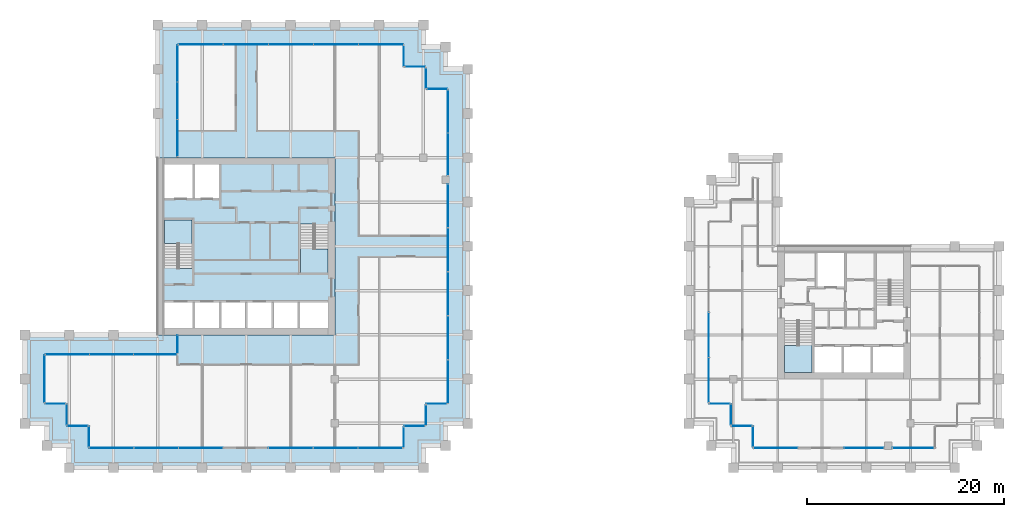
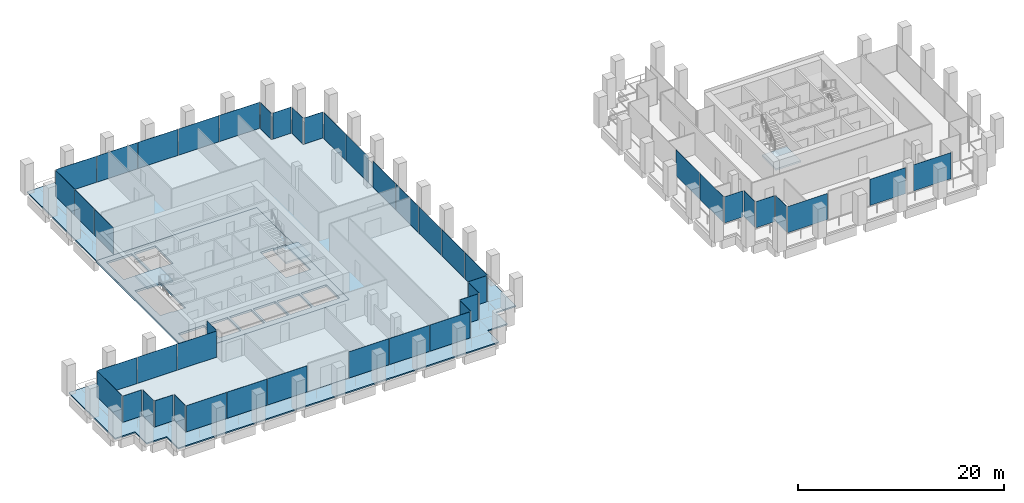
# One storey, part 39 of 45: 47 plates, 6 slabs, 32 elements without a shape of their own.
"""IFC4 building model written with IfcOpenShell, lengths in metres."""

from ifc_helpers import new_model, si_unit, direction, frame, origin, origin_2d, place, context, subcontext, project, spatial, polyline, rectangle, outline, extrude, material, layer, layer_set, type_object, element, aggregate, save


model = new_model("IFC4")

# Units and contexts
model_context = context("Model", 3, precision=1e-05, world=origin(), true_north=direction((0.0, 1.0)))
body_context = subcontext(model_context, "Body", "Model", "MODEL_VIEW")
ifc_project = project(units=[si_unit("LENGTHUNIT", "METRE"), si_unit("AREAUNIT", "SQUARE_METRE"), si_unit("VOLUMEUNIT", "CUBIC_METRE"), si_unit("PLANEANGLEUNIT", "RADIAN"), si_unit("MASSUNIT", "GRAM", prefix="KILO")], contexts=[model_context])

# Site, building, storey
site_placement = place(None, origin())
site = spatial("IfcSite", under=ifc_project, at=site_placement, CompositionType="ELEMENT")
building_placement = place(site_placement, origin())
building = spatial("IfcBuilding", under=site, at=building_placement, Name="Altepetl Exchange Towers", CompositionType="ELEMENT")
storey_placement = place(building_placement, frame((0.0, 0.0, 110.0)))
storey = spatial("IfcBuildingStorey", under=building, at=storey_placement, Name="L27", CompositionType="ELEMENT", Elevation=110.0)

# Slabs
ifc_material_1 = material(Name="Concrete C40/50", Category="concrete")
ifc_layer_1 = layer(ifc_material_1, 0.14990234375)
ifc_layer_set_1 = layer_set([ifc_layer_1], Name="Concrete C40/50")
slab_type_1 = type_object("IfcSlabType", Name="Composite floor slab 150", PredefinedType="FLOOR", material=ifc_layer_set_1)
slab_1_placement = place(storey_placement, frame((0.0, 0.0, -0.14990234375)))
element("IfcSlab", 1, at=slab_1_placement, inside=storey, type_object=slab_type_1, Name="slab:A:L27:strip0", PredefinedType="FLOOR", context=body_context, shape_type="SweptSolid", body=[
    extrude(outline(polyline([(42.5, 70.0), (42.5, 58.5), (58.5, 58.5), (58.5, 40.5), (42.5, 40.5), (42.5, 38.5), (29.0, 38.5), (29.0, 33.5), (31.25, 33.5), (31.25, 31.25), (33.5, 31.25), (33.5, 29.0), (65.5, 29.0), (65.5, 31.25), (67.75, 31.25), (67.75, 33.5), (70.0, 33.5), (70.0, 65.5), (67.75, 65.5), (67.75, 67.75), (65.5, 67.75), (65.5, 70.0), (42.5, 70.0)])), origin(), (0.0, 0.0, 1.0), 0.14990234375),
])
ifc_layer_2 = layer(ifc_material_1, 0.25)
ifc_layer_set_2 = layer_set([ifc_layer_2], Name="Concrete C40/50")
slab_type_2 = type_object("IfcSlabType", Name="Core floor slab 250", PredefinedType="FLOOR", material=ifc_layer_set_2)
slab_2_placement = place(storey_placement, frame((0.0, 0.0, -0.25)))
element("IfcSlab", 2, at=slab_2_placement, inside=storey, type_object=slab_type_2, Name="slab:A:L27:core0", PredefinedType="FLOOR", context=body_context, shape_type="SweptSolid", body=[
    extrude(outline(polyline([(40.5, 40.5), (58.5, 40.5), (58.5, 58.5), (40.5, 58.5), (40.5, 40.5)]), holes=[polyline([(41.199951171875, 43.800048828125), (44.06689453125, 43.800048828125), (44.06689453125, 41.199951171875), (41.199951171875, 41.199951171875), (41.199951171875, 43.800048828125)]), polyline([(44.26708984375, 43.800048828125), (46.73291015625, 43.800048828125), (46.73291015625, 41.199951171875), (44.26708984375, 41.199951171875), (44.26708984375, 43.800048828125)]), polyline([(46.93310546875, 43.800048828125), (49.39990234375, 43.800048828125), (49.39990234375, 41.199951171875), (46.93310546875, 41.199951171875), (46.93310546875, 43.800048828125)]), polyline([(52.06689453125, 43.800048828125), (52.06689453125, 41.199951171875), (49.60009765625, 41.199951171875), (49.60009765625, 43.800048828125), (52.06689453125, 43.800048828125)]), polyline([(54.73291015625, 43.800048828125), (54.73291015625, 41.199951171875), (52.26708984375, 41.199951171875), (52.26708984375, 43.800048828125), (54.73291015625, 43.800048828125)]), polyline([(54.93310546875, 43.800048828125), (57.800048828125, 43.800048828125), (57.800048828125, 41.199951171875), (54.93310546875, 41.199951171875), (54.93310546875, 43.800048828125)]), polyline([(55.0, 51.7490234375), (56.449951171875, 51.7490234375), (56.449951171875, 51.64990234375), (57.800048828125, 51.64990234375), (57.800048828125, 46.800048828125), (55.0, 46.800048828125), (55.0, 51.7490234375)]), polyline([(44.0, 47.2509765625), (42.550048828125, 47.2509765625), (42.550048828125, 47.35009765625), (41.199951171875, 47.35009765625), (41.199951171875, 52.199951171875), (44.0, 52.199951171875), (44.0, 47.2509765625)]), polyline([(44.06689453125, 57.800048828125), (44.06689453125, 54.39990234375), (41.199951171875, 54.39990234375), (41.199951171875, 57.800048828125), (44.06689453125, 57.800048828125)]), polyline([(46.73291015625, 57.800048828125), (46.73291015625, 54.39990234375), (44.26708984375, 54.39990234375), (44.26708984375, 57.800048828125), (46.73291015625, 57.800048828125)])]), origin(), (0.0, 0.0, 1.0), 0.25),
])

# Curtain wall, plate
ifc_material_2 = material(Name="Aluminium 6063-T6 glazing", Category="aluminium")
curtain_wall_type = type_object("IfcCurtainWallType", Name="Loggia glazing system", PredefinedType="NOTDEFINED", material=ifc_material_2)
curtain_wall_1_placement = place(storey_placement, origin())
curtain_wall_1 = element("IfcCurtainWall", 3, at=curtain_wall_1_placement, inside=storey, type_object=curtain_wall_type, Name="CW1 run", PredefinedType="NOTDEFINED")
ifc_material_3 = material(Name="Glass 6-16-6 low emissivity", Category="glass")
ifc_layer_3 = layer(ifc_material_3, 0.028076171875)
ifc_layer_set_3 = layer_set([ifc_layer_3], Name="Glass 6-16-6 low emissivity")
plate_type = type_object("IfcPlateType", Name="Glass panel 28 double glazed", PredefinedType="CURTAIN_PANEL", material=ifc_layer_set_3)
plate_1_placement = place(storey_placement, frame((42.5, 39.53759765625, 0.0), z_axis=(0.0, 0.0, 1.0), x_axis=(0.0, -1.0, 0.0)))
plate_1 = element("IfcPlate", 4, at=plate_1_placement, type_object=plate_type, Name="GP1 panel", PredefinedType="CURTAIN_PANEL", context=body_context, shape_type="SweptSolid", body=[
    extrude(rectangle(XDim=1.804931640625, YDim=0.028076171875, at=origin_2d()), origin(), (0.0, 0.0, 1.0), 3.10009765625),
])
aggregate(curtain_wall_1, [plate_1])

# Curtain wall, plates
curtain_wall_2_placement = place(storey_placement, origin())
curtain_wall_2 = element("IfcCurtainWall", 5, at=curtain_wall_2_placement, inside=storey, type_object=curtain_wall_type, Name="CW1 run", PredefinedType="NOTDEFINED")
plate_2_placement = place(storey_placement, frame((40.24755859375, 38.5, 0.0), z_axis=(0.0, 0.0, 1.0), x_axis=(-1.0, 0.0, 0.0)))
plate_2 = element("IfcPlate", 6, at=plate_2_placement, type_object=plate_type, Name="GP1 panel", PredefinedType="CURTAIN_PANEL", context=body_context, shape_type="SweptSolid", body=[
    extrude(rectangle(XDim=4.385009765625, YDim=0.028076171875, at=origin_2d()), origin(), (0.0, 0.0, 1.0), 3.10009765625),
])
plate_3_placement = place(storey_placement, frame((35.78759765625, 38.5, 0.0), z_axis=(0.0, 0.0, 1.0), x_axis=(-1.0, 0.0, 0.0)))
plate_3 = element("IfcPlate", 7, at=plate_3_placement, type_object=plate_type, Name="GP1 panel", PredefinedType="CURTAIN_PANEL", context=body_context, shape_type="SweptSolid", body=[
    extrude(rectangle(XDim=4.4150390625, YDim=0.028076171875, at=origin_2d()), origin(), (0.0, 0.0, 1.0), 3.10009765625),
])
plate_4_placement = place(storey_placement, frame((31.327392578125, 38.5, 0.0), z_axis=(0.0, 0.0, 1.0), x_axis=(-1.0, 0.0, 0.0)))
plate_4 = element("IfcPlate", 8, at=plate_4_placement, type_object=plate_type, Name="GP1 panel", PredefinedType="CURTAIN_PANEL", context=body_context, shape_type="SweptSolid", body=[
    extrude(rectangle(XDim=4.385009765625, YDim=0.028076171875, at=origin_2d()), origin(), (0.0, 0.0, 1.0), 3.10009765625),
])
aggregate(curtain_wall_2, [plate_2, plate_3, plate_4])

# Curtain wall, plate
curtain_wall_3_placement = place(storey_placement, origin())
curtain_wall_3 = element("IfcCurtainWall", 9, at=curtain_wall_3_placement, inside=storey, type_object=curtain_wall_type, Name="CW1 run", PredefinedType="NOTDEFINED")
plate_5_placement = place(storey_placement, frame((29.0, 36.03759765625, 0.0), z_axis=(0.0, 0.0, 1.0), x_axis=(0.0, -1.0, 0.0)))
plate_5 = element("IfcPlate", 10, at=plate_5_placement, type_object=plate_type, Name="GP1 panel", PredefinedType="CURTAIN_PANEL", context=body_context, shape_type="SweptSolid", body=[
    extrude(rectangle(XDim=4.804931640625, YDim=0.028076171875, at=origin_2d()), origin(), (0.0, 0.0, 1.0), 3.10009765625),
])
aggregate(curtain_wall_3, [plate_5])

curtain_wall_4_placement = place(storey_placement, origin())
curtain_wall_4 = element("IfcCurtainWall", 11, at=curtain_wall_4_placement, inside=storey, type_object=curtain_wall_type, Name="CW1 run", PredefinedType="NOTDEFINED")
plate_6_placement = place(storey_placement, frame((30.08740234375, 33.5, 0.0)))
plate_6 = element("IfcPlate", 12, at=plate_6_placement, type_object=plate_type, Name="GP1 panel", PredefinedType="CURTAIN_PANEL", context=body_context, shape_type="SweptSolid", body=[
    extrude(rectangle(XDim=2.054931640625, YDim=0.028076171875, at=origin_2d()), origin(), (0.0, 0.0, 1.0), 3.10009765625),
])
aggregate(curtain_wall_4, [plate_6])

curtain_wall_5_placement = place(storey_placement, origin())
curtain_wall_5 = element("IfcCurtainWall", 13, at=curtain_wall_5_placement, inside=storey, type_object=curtain_wall_type, Name="CW1 run", PredefinedType="NOTDEFINED")
plate_7_placement = place(storey_placement, frame((31.25, 32.41259765625, 0.0), z_axis=(0.0, 0.0, 1.0), x_axis=(0.0, -1.0, 0.0)))
plate_7 = element("IfcPlate", 14, at=plate_7_placement, type_object=plate_type, Name="GP1 panel", PredefinedType="CURTAIN_PANEL", context=body_context, shape_type="SweptSolid", body=[
    extrude(rectangle(XDim=2.054931640625, YDim=0.028076171875, at=origin_2d()), origin(), (0.0, 0.0, 1.0), 3.10009765625),
])
aggregate(curtain_wall_5, [plate_7])

curtain_wall_6_placement = place(storey_placement, origin())
curtain_wall_6 = element("IfcCurtainWall", 15, at=curtain_wall_6_placement, inside=storey, type_object=curtain_wall_type, Name="CW1 run", PredefinedType="NOTDEFINED")
plate_8_placement = place(storey_placement, frame((32.33740234375, 31.25, 0.0)))
plate_8 = element("IfcPlate", 16, at=plate_8_placement, type_object=plate_type, Name="GP1 panel", PredefinedType="CURTAIN_PANEL", context=body_context, shape_type="SweptSolid", body=[
    extrude(rectangle(XDim=2.054931640625, YDim=0.028076171875, at=origin_2d()), origin(), (0.0, 0.0, 1.0), 3.10009765625),
])
aggregate(curtain_wall_6, [plate_8])

curtain_wall_7_placement = place(storey_placement, origin())
curtain_wall_7 = element("IfcCurtainWall", 17, at=curtain_wall_7_placement, inside=storey, type_object=curtain_wall_type, Name="CW1 run", PredefinedType="NOTDEFINED")
plate_9_placement = place(storey_placement, frame((33.5, 30.16259765625, 0.0), z_axis=(0.0, 0.0, 1.0), x_axis=(0.0, -1.0, 0.0)))
plate_9 = element("IfcPlate", 18, at=plate_9_placement, type_object=plate_type, Name="GP1 panel", PredefinedType="CURTAIN_PANEL", context=body_context, shape_type="SweptSolid", body=[
    extrude(rectangle(XDim=2.054931640625, YDim=0.028076171875, at=origin_2d()), origin(), (0.0, 0.0, 1.0), 3.10009765625),
])
aggregate(curtain_wall_7, [plate_9])

# Curtain wall, plates
curtain_wall_8_placement = place(storey_placement, origin())
curtain_wall_8 = element("IfcCurtainWall", 19, at=curtain_wall_8_placement, inside=storey, type_object=curtain_wall_type, Name="CW1 run", PredefinedType="NOTDEFINED")
plate_10_placement = place(storey_placement, frame((35.79541015625, 29.0, 0.0)))
plate_10 = element("IfcPlate", 20, at=plate_10_placement, type_object=plate_type, Name="GP1 panel", PredefinedType="CURTAIN_PANEL", context=body_context, shape_type="SweptSolid", body=[
    extrude(rectangle(XDim=4.470703125, YDim=0.028076171875, at=origin_2d()), origin(), (0.0, 0.0, 1.0), 3.10009765625),
])
plate_11_placement = place(storey_placement, frame((40.341064453125, 29.0, 0.0)))
plate_11 = element("IfcPlate", 21, at=plate_11_placement, type_object=plate_type, Name="GP1 panel", PredefinedType="CURTAIN_PANEL", context=body_context, shape_type="SweptSolid", body=[
    extrude(rectangle(XDim=4.500732421875, YDim=0.028076171875, at=origin_2d()), origin(), (0.0, 0.0, 1.0), 3.10009765625),
])
plate_12_placement = place(storey_placement, frame((44.88671875, 29.0, 0.0)))
plate_12 = element("IfcPlate", 22, at=plate_12_placement, type_object=plate_type, Name="GP1 panel", PredefinedType="CURTAIN_PANEL", context=body_context, shape_type="SweptSolid", body=[
    extrude(rectangle(XDim=4.470703125, YDim=0.028076171875, at=origin_2d()), origin(), (0.0, 0.0, 1.0), 3.10009765625),
])
aggregate(curtain_wall_8, [plate_10, plate_11, plate_12])

curtain_wall_9_placement = place(storey_placement, origin())
curtain_wall_9 = element("IfcCurtainWall", 23, at=curtain_wall_9_placement, inside=storey, type_object=curtain_wall_type, Name="CW1 run", PredefinedType="NOTDEFINED")
plate_13_placement = place(storey_placement, frame((54.038330078125, 29.0, 0.0)))
plate_13 = element("IfcPlate", 24, at=plate_13_placement, type_object=plate_type, Name="GP1 panel", PredefinedType="CURTAIN_PANEL", context=body_context, shape_type="SweptSolid", body=[
    extrude(rectangle(XDim=4.470703125, YDim=0.028076171875, at=origin_2d()), origin(), (0.0, 0.0, 1.0), 3.10009765625),
])
plate_14_placement = place(storey_placement, frame((58.583984375, 29.0, 0.0)))
plate_14 = element("IfcPlate", 25, at=plate_14_placement, type_object=plate_type, Name="GP1 panel", PredefinedType="CURTAIN_PANEL", context=body_context, shape_type="SweptSolid", body=[
    extrude(rectangle(XDim=4.500732421875, YDim=0.028076171875, at=origin_2d()), origin(), (0.0, 0.0, 1.0), 3.10009765625),
])
plate_15_placement = place(storey_placement, frame((63.129638671875, 29.0, 0.0)))
plate_15 = element("IfcPlate", 26, at=plate_15_placement, type_object=plate_type, Name="GP1 panel", PredefinedType="CURTAIN_PANEL", context=body_context, shape_type="SweptSolid", body=[
    extrude(rectangle(XDim=4.470703125, YDim=0.028076171875, at=origin_2d()), origin(), (0.0, 0.0, 1.0), 3.10009765625),
])
aggregate(curtain_wall_9, [plate_13, plate_14, plate_15])

# Curtain wall, plate
curtain_wall_10_placement = place(storey_placement, origin())
curtain_wall_10 = element("IfcCurtainWall", 27, at=curtain_wall_10_placement, inside=storey, type_object=curtain_wall_type, Name="CW1 run", PredefinedType="NOTDEFINED")
plate_16_placement = place(storey_placement, frame((65.5, 30.08740234375, 0.0), z_axis=(0.0, 0.0, 1.0), x_axis=(0.0, 1.0, 0.0)))
plate_16 = element("IfcPlate", 28, at=plate_16_placement, type_object=plate_type, Name="GP1 panel", PredefinedType="CURTAIN_PANEL", context=body_context, shape_type="SweptSolid", body=[
    extrude(rectangle(XDim=2.054931640625, YDim=0.028076171875, at=origin_2d()), origin(), (0.0, 0.0, 1.0), 3.10009765625),
])
aggregate(curtain_wall_10, [plate_16])

curtain_wall_11_placement = place(storey_placement, origin())
curtain_wall_11 = element("IfcCurtainWall", 29, at=curtain_wall_11_placement, inside=storey, type_object=curtain_wall_type, Name="CW1 run", PredefinedType="NOTDEFINED")
plate_17_placement = place(storey_placement, frame((66.58740234375, 31.25, 0.0)))
plate_17 = element("IfcPlate", 30, at=plate_17_placement, type_object=plate_type, Name="GP1 panel", PredefinedType="CURTAIN_PANEL", context=body_context, shape_type="SweptSolid", body=[
    extrude(rectangle(XDim=2.054931640625, YDim=0.028076171875, at=origin_2d()), origin(), (0.0, 0.0, 1.0), 3.10009765625),
])
aggregate(curtain_wall_11, [plate_17])

curtain_wall_12_placement = place(storey_placement, origin())
curtain_wall_12 = element("IfcCurtainWall", 31, at=curtain_wall_12_placement, inside=storey, type_object=curtain_wall_type, Name="CW1 run", PredefinedType="NOTDEFINED")
plate_18_placement = place(storey_placement, frame((67.75, 32.33740234375, 0.0), z_axis=(0.0, 0.0, 1.0), x_axis=(0.0, 1.0, 0.0)))
plate_18 = element("IfcPlate", 32, at=plate_18_placement, type_object=plate_type, Name="GP1 panel", PredefinedType="CURTAIN_PANEL", context=body_context, shape_type="SweptSolid", body=[
    extrude(rectangle(XDim=2.054931640625, YDim=0.028076171875, at=origin_2d()), origin(), (0.0, 0.0, 1.0), 3.10009765625),
])
aggregate(curtain_wall_12, [plate_18])

curtain_wall_13_placement = place(storey_placement, origin())
curtain_wall_13 = element("IfcCurtainWall", 33, at=curtain_wall_13_placement, inside=storey, type_object=curtain_wall_type, Name="CW1 run", PredefinedType="NOTDEFINED")
plate_19_placement = place(storey_placement, frame((68.83740234375, 33.5, 0.0)))
plate_19 = element("IfcPlate", 34, at=plate_19_placement, type_object=plate_type, Name="GP1 panel", PredefinedType="CURTAIN_PANEL", context=body_context, shape_type="SweptSolid", body=[
    extrude(rectangle(XDim=2.054931640625, YDim=0.028076171875, at=origin_2d()), origin(), (0.0, 0.0, 1.0), 3.10009765625),
])
aggregate(curtain_wall_13, [plate_19])

# Curtain wall, plates
curtain_wall_14_placement = place(storey_placement, origin())
curtain_wall_14 = element("IfcCurtainWall", 35, at=curtain_wall_14_placement, inside=storey, type_object=curtain_wall_type, Name="CW1 run", PredefinedType="NOTDEFINED")
plate_20_placement = place(storey_placement, frame((70.0, 35.75048828125, 0.0), z_axis=(0.0, 0.0, 1.0), x_axis=(0.0, 1.0, 0.0)))
plate_20 = element("IfcPlate", 36, at=plate_20_placement, type_object=plate_type, Name="GP1 panel", PredefinedType="CURTAIN_PANEL", context=body_context, shape_type="SweptSolid", body=[
    extrude(rectangle(XDim=4.381103515625, YDim=0.028076171875, at=origin_2d()), origin(), (0.0, 0.0, 1.0), 3.10009765625),
])
plate_21_placement = place(storey_placement, frame((70.0, 40.20654296875, 0.0), z_axis=(0.0, 0.0, 1.0), x_axis=(0.0, 1.0, 0.0)))
plate_21 = element("IfcPlate", 37, at=plate_21_placement, type_object=plate_type, Name="GP1 panel", PredefinedType="CURTAIN_PANEL", context=body_context, shape_type="SweptSolid", body=[
    extrude(rectangle(XDim=4.410888671875, YDim=0.028076171875, at=origin_2d()), origin(), (0.0, 0.0, 1.0), 3.10009765625),
])
plate_22_placement = place(storey_placement, frame((70.0, 44.677490234375, 0.0), z_axis=(0.0, 0.0, 1.0), x_axis=(0.0, 1.0, 0.0)))
plate_22 = element("IfcPlate", 38, at=plate_22_placement, type_object=plate_type, Name="GP1 panel", PredefinedType="CURTAIN_PANEL", context=body_context, shape_type="SweptSolid", body=[
    extrude(rectangle(XDim=4.410888671875, YDim=0.028076171875, at=origin_2d()), origin(), (0.0, 0.0, 1.0), 3.10009765625),
])
plate_23_placement = place(storey_placement, frame((70.0, 49.1484375, 0.0), z_axis=(0.0, 0.0, 1.0), x_axis=(0.0, 1.0, 0.0)))
plate_23 = element("IfcPlate", 39, at=plate_23_placement, type_object=plate_type, Name="GP1 panel", PredefinedType="CURTAIN_PANEL", context=body_context, shape_type="SweptSolid", body=[
    extrude(rectangle(XDim=4.410888671875, YDim=0.028076171875, at=origin_2d()), origin(), (0.0, 0.0, 1.0), 3.10009765625),
])
plate_24_placement = place(storey_placement, frame((70.0, 53.6044921875, 0.0), z_axis=(0.0, 0.0, 1.0), x_axis=(0.0, 1.0, 0.0)))
plate_24 = element("IfcPlate", 40, at=plate_24_placement, type_object=plate_type, Name="GP1 panel", PredefinedType="CURTAIN_PANEL", context=body_context, shape_type="SweptSolid", body=[
    extrude(rectangle(XDim=4.381103515625, YDim=0.028076171875, at=origin_2d()), origin(), (0.0, 0.0, 1.0), 3.10009765625),
])
aggregate(curtain_wall_14, [plate_20, plate_21, plate_22, plate_23, plate_24])

curtain_wall_15_placement = place(storey_placement, origin())
curtain_wall_15 = element("IfcCurtainWall", 41, at=curtain_wall_15_placement, inside=storey, type_object=curtain_wall_type, Name="CW1 run", PredefinedType="NOTDEFINED")
plate_25_placement = place(storey_placement, frame((70.0, 58.85498046875, 0.0), z_axis=(0.0, 0.0, 1.0), x_axis=(0.0, 1.0, 0.0)))
plate_25 = element("IfcPlate", 42, at=plate_25_placement, type_object=plate_type, Name="GP1 panel", PredefinedType="CURTAIN_PANEL", context=body_context, shape_type="SweptSolid", body=[
    extrude(rectangle(XDim=4.300048828125, YDim=0.028076171875, at=origin_2d()), origin(), (0.0, 0.0, 1.0), 3.10009765625),
])
plate_26_placement = place(storey_placement, frame((70.0, 63.215087890625, 0.0), z_axis=(0.0, 0.0, 1.0), x_axis=(0.0, 1.0, 0.0)))
plate_26 = element("IfcPlate", 43, at=plate_26_placement, type_object=plate_type, Name="GP1 panel", PredefinedType="CURTAIN_PANEL", context=body_context, shape_type="SweptSolid", body=[
    extrude(rectangle(XDim=4.300048828125, YDim=0.028076171875, at=origin_2d()), origin(), (0.0, 0.0, 1.0), 3.10009765625),
])
aggregate(curtain_wall_15, [plate_25, plate_26])

# Curtain wall, plate
curtain_wall_16_placement = place(storey_placement, origin())
curtain_wall_16 = element("IfcCurtainWall", 44, at=curtain_wall_16_placement, inside=storey, type_object=curtain_wall_type, Name="CW1 run", PredefinedType="NOTDEFINED")
plate_27_placement = place(storey_placement, frame((68.91259765625, 65.5, 0.0), z_axis=(0.0, 0.0, 1.0), x_axis=(-1.0, 0.0, 0.0)))
plate_27 = element("IfcPlate", 45, at=plate_27_placement, type_object=plate_type, Name="GP1 panel", PredefinedType="CURTAIN_PANEL", context=body_context, shape_type="SweptSolid", body=[
    extrude(rectangle(XDim=2.054931640625, YDim=0.028076171875, at=origin_2d()), origin(), (0.0, 0.0, 1.0), 3.10009765625),
])
aggregate(curtain_wall_16, [plate_27])

curtain_wall_17_placement = place(storey_placement, origin())
curtain_wall_17 = element("IfcCurtainWall", 46, at=curtain_wall_17_placement, inside=storey, type_object=curtain_wall_type, Name="CW1 run", PredefinedType="NOTDEFINED")
plate_28_placement = place(storey_placement, frame((67.75, 66.58740234375, 0.0), z_axis=(0.0, 0.0, 1.0), x_axis=(0.0, 1.0, 0.0)))
plate_28 = element("IfcPlate", 47, at=plate_28_placement, type_object=plate_type, Name="GP1 panel", PredefinedType="CURTAIN_PANEL", context=body_context, shape_type="SweptSolid", body=[
    extrude(rectangle(XDim=2.054931640625, YDim=0.028076171875, at=origin_2d()), origin(), (0.0, 0.0, 1.0), 3.10009765625),
])
aggregate(curtain_wall_17, [plate_28])

curtain_wall_18_placement = place(storey_placement, origin())
curtain_wall_18 = element("IfcCurtainWall", 48, at=curtain_wall_18_placement, inside=storey, type_object=curtain_wall_type, Name="CW1 run", PredefinedType="NOTDEFINED")
plate_29_placement = place(storey_placement, frame((66.66259765625, 67.75, 0.0), z_axis=(0.0, 0.0, 1.0), x_axis=(-1.0, 0.0, 0.0)))
plate_29 = element("IfcPlate", 49, at=plate_29_placement, type_object=plate_type, Name="GP1 panel", PredefinedType="CURTAIN_PANEL", context=body_context, shape_type="SweptSolid", body=[
    extrude(rectangle(XDim=2.054931640625, YDim=0.028076171875, at=origin_2d()), origin(), (0.0, 0.0, 1.0), 3.10009765625),
])
aggregate(curtain_wall_18, [plate_29])

curtain_wall_19_placement = place(storey_placement, origin())
curtain_wall_19 = element("IfcCurtainWall", 50, at=curtain_wall_19_placement, inside=storey, type_object=curtain_wall_type, Name="CW1 run", PredefinedType="NOTDEFINED")
plate_30_placement = place(storey_placement, frame((65.5, 68.83740234375, 0.0), z_axis=(0.0, 0.0, 1.0), x_axis=(0.0, 1.0, 0.0)))
plate_30 = element("IfcPlate", 51, at=plate_30_placement, type_object=plate_type, Name="GP1 panel", PredefinedType="CURTAIN_PANEL", context=body_context, shape_type="SweptSolid", body=[
    extrude(rectangle(XDim=2.054931640625, YDim=0.028076171875, at=origin_2d()), origin(), (0.0, 0.0, 1.0), 3.10009765625),
])
aggregate(curtain_wall_19, [plate_30])

# Curtain wall, plates
curtain_wall_20_placement = place(storey_placement, origin())
curtain_wall_20 = element("IfcCurtainWall", 52, at=curtain_wall_20_placement, inside=storey, type_object=curtain_wall_type, Name="CW1 run", PredefinedType="NOTDEFINED")
plate_31_placement = place(storey_placement, frame((63.1923828125, 70.0, 0.0), z_axis=(0.0, 0.0, 1.0), x_axis=(-1.0, 0.0, 0.0)))
plate_31 = element("IfcPlate", 53, at=plate_31_placement, type_object=plate_type, Name="GP1 panel", PredefinedType="CURTAIN_PANEL", context=body_context, shape_type="SweptSolid", body=[
    extrude(rectangle(XDim=4.4951171875, YDim=0.028076171875, at=origin_2d()), origin(), (0.0, 0.0, 1.0), 3.10009765625),
])
plate_32_placement = place(storey_placement, frame((58.62255859375, 70.0, 0.0), z_axis=(0.0, 0.0, 1.0), x_axis=(-1.0, 0.0, 0.0)))
plate_32 = element("IfcPlate", 54, at=plate_32_placement, type_object=plate_type, Name="GP1 panel", PredefinedType="CURTAIN_PANEL", context=body_context, shape_type="SweptSolid", body=[
    extrude(rectangle(XDim=4.52490234375, YDim=0.028076171875, at=origin_2d()), origin(), (0.0, 0.0, 1.0), 3.10009765625),
])
plate_33_placement = place(storey_placement, frame((54.03759765625, 70.0, 0.0), z_axis=(0.0, 0.0, 1.0), x_axis=(-1.0, 0.0, 0.0)))
plate_33 = element("IfcPlate", 55, at=plate_33_placement, type_object=plate_type, Name="GP1 panel", PredefinedType="CURTAIN_PANEL", context=body_context, shape_type="SweptSolid", body=[
    extrude(rectangle(XDim=4.52490234375, YDim=0.028076171875, at=origin_2d()), origin(), (0.0, 0.0, 1.0), 3.10009765625),
])
plate_34_placement = place(storey_placement, frame((49.452392578125, 70.0, 0.0), z_axis=(0.0, 0.0, 1.0), x_axis=(-1.0, 0.0, 0.0)))
plate_34 = element("IfcPlate", 56, at=plate_34_placement, type_object=plate_type, Name="GP1 panel", PredefinedType="CURTAIN_PANEL", context=body_context, shape_type="SweptSolid", body=[
    extrude(rectangle(XDim=4.52490234375, YDim=0.028076171875, at=origin_2d()), origin(), (0.0, 0.0, 1.0), 3.10009765625),
])
plate_35_placement = place(storey_placement, frame((44.882568359375, 70.0, 0.0), z_axis=(0.0, 0.0, 1.0), x_axis=(-1.0, 0.0, 0.0)))
plate_35 = element("IfcPlate", 57, at=plate_35_placement, type_object=plate_type, Name="GP1 panel", PredefinedType="CURTAIN_PANEL", context=body_context, shape_type="SweptSolid", body=[
    extrude(rectangle(XDim=4.4951171875, YDim=0.028076171875, at=origin_2d()), origin(), (0.0, 0.0, 1.0), 3.10009765625),
])
aggregate(curtain_wall_20, [plate_31, plate_32, plate_33, plate_34, plate_35])

curtain_wall_21_placement = place(storey_placement, origin())
curtain_wall_21 = element("IfcCurtainWall", 58, at=curtain_wall_21_placement, inside=storey, type_object=curtain_wall_type, Name="CW1 run", PredefinedType="NOTDEFINED")
plate_36_placement = place(storey_placement, frame((42.5, 68.080810546875, 0.0), z_axis=(0.0, 0.0, 1.0), x_axis=(0.0, -1.0, 0.0)))
plate_36 = element("IfcPlate", 59, at=plate_36_placement, type_object=plate_type, Name="GP1 panel", PredefinedType="CURTAIN_PANEL", context=body_context, shape_type="SweptSolid", body=[
    extrude(rectangle(XDim=3.71826171875, YDim=0.028076171875, at=origin_2d()), origin(), (0.0, 0.0, 1.0), 3.10009765625),
])
plate_37_placement = place(storey_placement, frame((42.5, 64.28759765625, 0.0), z_axis=(0.0, 0.0, 1.0), x_axis=(0.0, -1.0, 0.0)))
plate_37 = element("IfcPlate", 60, at=plate_37_placement, type_object=plate_type, Name="GP1 panel", PredefinedType="CURTAIN_PANEL", context=body_context, shape_type="SweptSolid", body=[
    extrude(rectangle(XDim=3.748291015625, YDim=0.028076171875, at=origin_2d()), origin(), (0.0, 0.0, 1.0), 3.10009765625),
])
plate_38_placement = place(storey_placement, frame((42.5, 60.494140625, 0.0), z_axis=(0.0, 0.0, 1.0), x_axis=(0.0, -1.0, 0.0)))
plate_38 = element("IfcPlate", 61, at=plate_38_placement, type_object=plate_type, Name="GP1 panel", PredefinedType="CURTAIN_PANEL", context=body_context, shape_type="SweptSolid", body=[
    extrude(rectangle(XDim=3.71826171875, YDim=0.028076171875, at=origin_2d()), origin(), (0.0, 0.0, 1.0), 3.10009765625),
])
aggregate(curtain_wall_21, [plate_36, plate_37, plate_38])

curtain_wall_22_placement = place(storey_placement, origin())
curtain_wall_22 = element("IfcCurtainWall", 62, at=curtain_wall_22_placement, inside=storey, type_object=curtain_wall_type, Name="CW1 run", PredefinedType="NOTDEFINED")
plate_39_placement = place(storey_placement, frame((96.5, 40.484375, 0.0), z_axis=(0.0, 0.0, 1.0), x_axis=(0.0, -1.0, 0.0)))
plate_39 = element("IfcPlate", 63, at=plate_39_placement, type_object=plate_type, Name="GP1 panel", PredefinedType="CURTAIN_PANEL", context=body_context, shape_type="SweptSolid", body=[
    extrude(rectangle(XDim=4.546142578125, YDim=0.028076171875, at=origin_2d()), origin(), (0.0, 0.0, 1.0), 3.10009765625),
])
plate_40_placement = place(storey_placement, frame((96.5, 35.89306640625, 0.0), z_axis=(0.0, 0.0, 1.0), x_axis=(0.0, -1.0, 0.0)))
plate_40 = element("IfcPlate", 64, at=plate_40_placement, type_object=plate_type, Name="GP1 panel", PredefinedType="CURTAIN_PANEL", context=body_context, shape_type="SweptSolid", body=[
    extrude(rectangle(XDim=4.516357421875, YDim=0.028076171875, at=origin_2d()), origin(), (0.0, 0.0, 1.0), 3.10009765625),
])
aggregate(curtain_wall_22, [plate_39, plate_40])

# Curtain wall, plate
curtain_wall_23_placement = place(storey_placement, origin())
curtain_wall_23 = element("IfcCurtainWall", 65, at=curtain_wall_23_placement, inside=storey, type_object=curtain_wall_type, Name="CW1 run", PredefinedType="NOTDEFINED")
plate_41_placement = place(storey_placement, frame((97.58740234375, 33.5, 0.0)))
plate_41 = element("IfcPlate", 66, at=plate_41_placement, type_object=plate_type, Name="GP1 panel", PredefinedType="CURTAIN_PANEL", context=body_context, shape_type="SweptSolid", body=[
    extrude(rectangle(XDim=2.054931640625, YDim=0.028076171875, at=origin_2d()), origin(), (0.0, 0.0, 1.0), 3.10009765625),
])
aggregate(curtain_wall_23, [plate_41])

curtain_wall_24_placement = place(storey_placement, origin())
curtain_wall_24 = element("IfcCurtainWall", 67, at=curtain_wall_24_placement, inside=storey, type_object=curtain_wall_type, Name="CW1 run", PredefinedType="NOTDEFINED")
plate_42_placement = place(storey_placement, frame((98.75, 32.41259765625, 0.0), z_axis=(0.0, 0.0, 1.0), x_axis=(0.0, -1.0, 0.0)))
plate_42 = element("IfcPlate", 68, at=plate_42_placement, type_object=plate_type, Name="GP1 panel", PredefinedType="CURTAIN_PANEL", context=body_context, shape_type="SweptSolid", body=[
    extrude(rectangle(XDim=2.054931640625, YDim=0.028076171875, at=origin_2d()), origin(), (0.0, 0.0, 1.0), 3.10009765625),
])
aggregate(curtain_wall_24, [plate_42])

curtain_wall_25_placement = place(storey_placement, origin())
curtain_wall_25 = element("IfcCurtainWall", 69, at=curtain_wall_25_placement, inside=storey, type_object=curtain_wall_type, Name="CW1 run", PredefinedType="NOTDEFINED")
plate_43_placement = place(storey_placement, frame((99.83740234375, 31.25, 0.0)))
plate_43 = element("IfcPlate", 70, at=plate_43_placement, type_object=plate_type, Name="GP1 panel", PredefinedType="CURTAIN_PANEL", context=body_context, shape_type="SweptSolid", body=[
    extrude(rectangle(XDim=2.054931640625, YDim=0.028076171875, at=origin_2d()), origin(), (0.0, 0.0, 1.0), 3.10009765625),
])
aggregate(curtain_wall_25, [plate_43])

curtain_wall_26_placement = place(storey_placement, origin())
curtain_wall_26 = element("IfcCurtainWall", 71, at=curtain_wall_26_placement, inside=storey, type_object=curtain_wall_type, Name="CW1 run", PredefinedType="NOTDEFINED")
plate_44_placement = place(storey_placement, frame((101.0, 30.16259765625, 0.0), z_axis=(0.0, 0.0, 1.0), x_axis=(0.0, -1.0, 0.0)))
plate_44 = element("IfcPlate", 72, at=plate_44_placement, type_object=plate_type, Name="GP1 panel", PredefinedType="CURTAIN_PANEL", context=body_context, shape_type="SweptSolid", body=[
    extrude(rectangle(XDim=2.054931640625, YDim=0.028076171875, at=origin_2d()), origin(), (0.0, 0.0, 1.0), 3.10009765625),
])
aggregate(curtain_wall_26, [plate_44])

curtain_wall_27_placement = place(storey_placement, origin())
curtain_wall_27 = element("IfcCurtainWall", 73, at=curtain_wall_27_placement, inside=storey, type_object=curtain_wall_type, Name="CW1 run", PredefinedType="NOTDEFINED")
plate_45_placement = place(storey_placement, frame((103.30322265625, 29.0, 0.0)))
plate_45 = element("IfcPlate", 74, at=plate_45_placement, type_object=plate_type, Name="GP1 panel", PredefinedType="CURTAIN_PANEL", context=body_context, shape_type="SweptSolid", body=[
    extrude(rectangle(XDim=4.486328125, YDim=0.028076171875, at=origin_2d()), origin(), (0.0, 0.0, 1.0), 3.10009765625),
])
aggregate(curtain_wall_27, [plate_45])

curtain_wall_28_placement = place(storey_placement, origin())
curtain_wall_28 = element("IfcCurtainWall", 75, at=curtain_wall_28_placement, inside=storey, type_object=curtain_wall_type, Name="CW1 run", PredefinedType="NOTDEFINED")
plate_46_placement = place(storey_placement, frame((112.28369140625, 29.0, 0.0)))
plate_46 = element("IfcPlate", 76, at=plate_46_placement, type_object=plate_type, Name="GP1 panel", PredefinedType="CURTAIN_PANEL", context=body_context, shape_type="SweptSolid", body=[
    extrude(rectangle(XDim=4.0224609375, YDim=0.028076171875, at=origin_2d()), origin(), (0.0, 0.0, 1.0), 3.10009765625),
])
aggregate(curtain_wall_28, [plate_46])

curtain_wall_29_placement = place(storey_placement, origin())
curtain_wall_29 = element("IfcCurtainWall", 77, at=curtain_wall_29_placement, inside=storey, type_object=curtain_wall_type, Name="CW1 run", PredefinedType="NOTDEFINED")
plate_47_placement = place(storey_placement, frame((117.284912109375, 29.0, 0.0)))
plate_47 = element("IfcPlate", 78, at=plate_47_placement, type_object=plate_type, Name="GP1 panel", PredefinedType="CURTAIN_PANEL", context=body_context, shape_type="SweptSolid", body=[
    extrude(rectangle(XDim=4.159912109375, YDim=0.028076171875, at=origin_2d()), origin(), (0.0, 0.0, 1.0), 3.10009765625),
])
aggregate(curtain_wall_29, [plate_47])

# Slab
ifc_layer_4 = layer(ifc_material_1, 0.14990234375)
ifc_layer_set_4 = layer_set([ifc_layer_4], Name="Concrete C40/50")
slab_type_3 = type_object("IfcSlabType", Name="Loggia slab 150", PredefinedType="FLOOR", material=ifc_layer_set_4)
slab_3_placement = place(storey_placement, frame((0.0, 0.0, -0.14990234375)))
element("IfcSlab", 79, at=slab_3_placement, inside=storey, type_object=slab_type_3, Name="slab:A:L27:loggia0", PredefinedType="FLOOR", context=body_context, shape_type="SweptSolid", body=[
    extrude(outline(polyline([(40.5, 72.0), (40.5, 58.5), (42.5, 58.5), (42.5, 70.0), (65.5, 70.0), (65.5, 67.75), (67.75, 67.75), (67.75, 65.5), (70.0, 65.5), (70.0, 33.5), (67.75, 33.5), (67.75, 31.25), (65.5, 31.25), (65.5, 29.0), (33.5, 29.0), (33.5, 31.25), (31.25, 31.25), (31.25, 33.5), (29.0, 33.5), (29.0, 38.5), (42.5, 38.5), (42.5, 40.5), (40.5, 40.5), (27.0, 40.5), (27.0, 31.5), (29.25, 31.5), (29.25, 29.25), (31.5, 29.25), (31.5, 27.0), (58.5, 27.0), (67.5, 27.0), (67.5, 29.25), (69.75, 29.25), (69.75, 31.5), (72.0, 31.5), (72.0, 58.5), (72.0, 67.5), (69.75, 67.5), (69.75, 69.75), (67.5, 69.75), (67.5, 72.0), (40.5, 72.0)])), origin(), (0.0, 0.0, 1.0), 0.14990234375),
])

# Stair, slab
stair_type = type_object("IfcStairType", Name="Exit stair 1350 flights dogleg", PredefinedType="HALF_TURN_STAIR", material=ifc_material_1)
stair_1_placement = place(storey_placement, origin())
stair_1 = element("IfcStair", 80, at=stair_1_placement, inside=storey, type_object=stair_type, Name="Exit stair 1", PredefinedType="HALF_TURN_STAIR")
ifc_layer_5 = layer(ifc_material_1, 0.199951171875)
ifc_layer_set_5 = layer_set([ifc_layer_5], Name="Concrete C40/50")
slab_type_4 = type_object("IfcSlabType", Name="Stair landing 200 reinforced concrete", PredefinedType="LANDING", material=ifc_layer_set_5)
slab_4_placement = place(storey_placement, frame((0.0, 0.0, 1.60009765625)))
slab_4 = element("IfcSlab", 81, at=slab_4_placement, type_object=slab_type_4, Name="ST-A1d landing 1", PredefinedType="LANDING", context=body_context, shape_type="SweptSolid", body=[
    extrude(outline(polyline([(44.0, 49.669921875), (42.64990234375, 49.669921875), (42.64990234375, 49.77001953125), (42.550048828125, 49.77001953125), (42.550048828125, 49.769287109375), (41.199951171875, 49.769287109375), (41.199951171875, 49.77001953125), (41.199951171875, 52.199951171875), (44.0, 52.199951171875), (44.0, 49.77001953125), (44.0, 49.669921875)])), origin(), (0.0, 0.0, 1.0), 0.199951171875),
])
aggregate(stair_1, [slab_4])

stair_2_placement = place(storey_placement, origin())
stair_2 = element("IfcStair", 82, at=stair_2_placement, inside=storey, type_object=stair_type, Name="Exit stair 2", PredefinedType="HALF_TURN_STAIR")
slab_5_placement = place(storey_placement, frame((0.0, 0.0, 1.60009765625)))
slab_5 = element("IfcSlab", 83, at=slab_5_placement, type_object=slab_type_4, Name="ST-A2d landing 1", PredefinedType="LANDING", context=body_context, shape_type="SweptSolid", body=[
    extrude(outline(polyline([(57.800048828125, 46.800048828125), (55.0, 46.800048828125), (55.0, 49.22998046875), (55.0, 49.330078125), (56.35009765625, 49.330078125), (56.35009765625, 49.22998046875), (56.449951171875, 49.22998046875), (56.449951171875, 49.230712890625), (57.800048828125, 49.230712890625), (57.800048828125, 49.22998046875), (57.800048828125, 46.800048828125)])), origin(), (0.0, 0.0, 1.0), 0.199951171875),
])
aggregate(stair_2, [slab_5])

stair_3_placement = place(storey_placement, origin())
stair_3 = element("IfcStair", 84, at=stair_3_placement, inside=storey, type_object=stair_type, Name="Exit stair 1", PredefinedType="HALF_TURN_STAIR")
slab_6_placement = place(storey_placement, frame((0.0, 0.0, 1.60009765625)))
slab_6 = element("IfcSlab", 85, at=slab_6_placement, type_object=slab_type_4, Name="ST-B1d landing 1", PredefinedType="LANDING", context=body_context, shape_type="SweptSolid", body=[
    extrude(outline(polyline([(107.0, 36.699951171875), (104.199951171875, 36.699951171875), (104.199951171875, 39.429931640625), (104.199951171875, 39.4306640625), (105.550048828125, 39.4306640625), (105.550048828125, 39.429931640625), (105.64990234375, 39.429931640625), (105.64990234375, 39.530029296875), (107.0, 39.530029296875), (107.0, 39.429931640625), (107.0, 36.699951171875)])), origin(), (0.0, 0.0, 1.0), 0.199951171875),
])
aggregate(stair_3, [slab_6])

save(model, "model.ifc")
